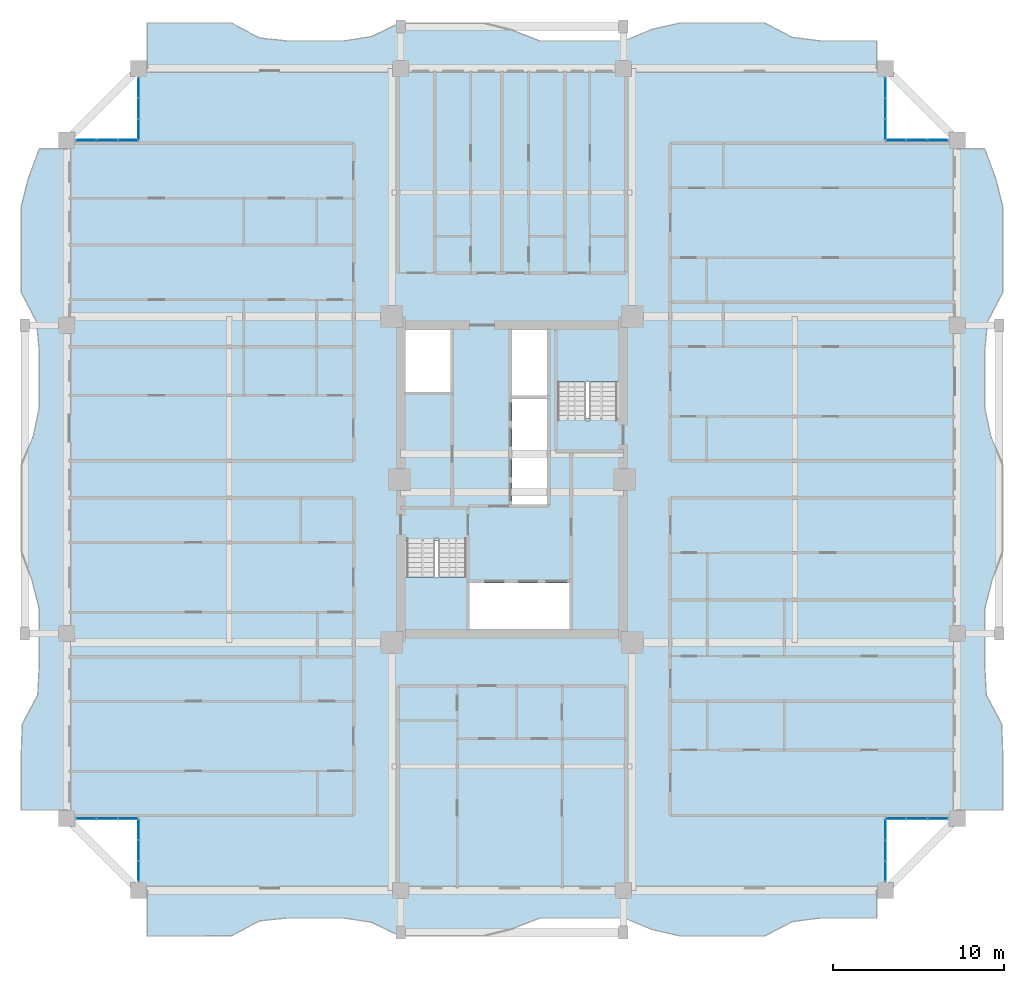
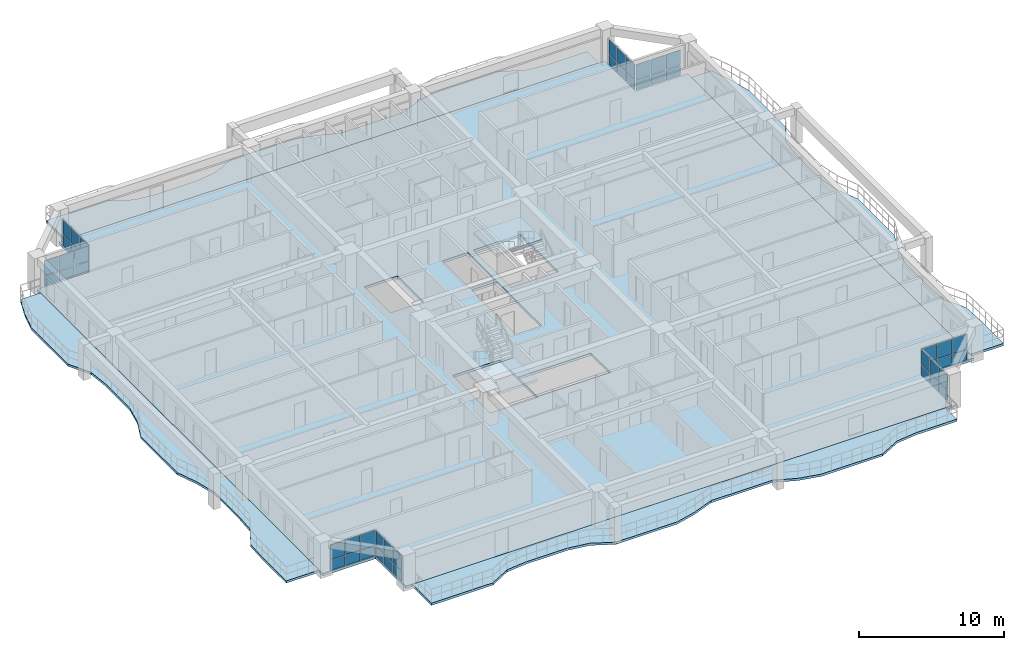
# One storey, part 13 of 26: 48 plates, 7 slabs, 10 elements without a shape of their own.
"""IFC4 building model written with IfcOpenShell, lengths in metres."""

import ifcopenshell
import ifcopenshell.guid

model = None  # the IFC model being written
_history = None  # IfcOwnerHistory: only IFC2X3 demands one
_inside = {}  # id of a spatial element -> (the spatial element, [elements in it])
_under = {}  # id of a project, library or spatial element -> (it, [spatial elements below it])
_declared = {}  # id of a project -> (the project, [libraries it declares])
_typed = {}  # id of a type object -> (the type object, [elements of that type])
_made_of = {}  # id of a material, layer set ... -> (it, [elements and type objects made of it])


def new_model(schema):
    """Start an empty IFC model of exactly this schema.

    Asked for "IFC4X3", IfcOpenShell would pick the latest addendum, in which some entities
    have other attributes; the version numbers below select the first issue.
    IFC2X3 requires an IfcOwnerHistory on every rooted entity: one is made here for all.
    """
    global model, _history
    if schema == "IFC4X3":
        model = ifcopenshell.file(schema_version=(4, 3, 0, 0))
    else:
        model = ifcopenshell.file(schema=schema)
    _inside.clear()
    _under.clear()
    _declared.clear()
    _typed.clear()
    _made_of.clear()
    _history = None
    if model.schema == "IFC2X3":
        org = make("IfcOrganization", Name="unknown")
        user = make(
            "IfcPersonAndOrganization",
            ThePerson=make("IfcPerson", FamilyName="unknown"),
            TheOrganization=org,
        )
        app = make(
            "IfcApplication",
            ApplicationDeveloper=org,
            Version="unknown",
            ApplicationFullName="unknown",
            ApplicationIdentifier="unknown",
        )
        _history = make(
            "IfcOwnerHistory",
            OwningUser=user,
            OwningApplication=app,
            ChangeAction="ADDED",
            CreationDate=0,
        )
    return model


def make(cls, **values):
    """One entity of the class cls with the attributes given. An attribute that is None is left unset."""
    return model.create_entity(
        cls, **{name: value for name, value in values.items() if value is not None}
    )


def rooted(cls, **values):
    """An entity with a GlobalId (a new one), such as an element, a storey or a relation."""
    return make(cls, GlobalId=ifcopenshell.guid.new(), OwnerHistory=_history, **values)


def si_unit(unit_type, name, prefix=None):
    """IfcSIUnit, for example si_unit("LENGTHUNIT", "METRE", prefix="MILLI")."""
    return make("IfcSIUnit", UnitType=unit_type, Prefix=prefix, Name=name)


def assignment(units):
    """IfcUnitAssignment: the units of a project."""
    return None if units is None else make("IfcUnitAssignment", Units=units)


def point(xyz):
    """IfcCartesianPoint."""
    return None if xyz is None else make("IfcCartesianPoint", Coordinates=xyz)


def direction(xyz):
    """IfcDirection."""
    return None if xyz is None else make("IfcDirection", DirectionRatios=xyz)


def frame(location, z_axis=None, x_axis=None):
    """IfcAxis2Placement3D, a coordinate frame: its origin and axes. An axis left out is left unset."""
    return make(
        "IfcAxis2Placement3D",
        Location=point(location),
        Axis=direction(z_axis),
        RefDirection=direction(x_axis),
    )


def frame_2d(location, x_axis=None):
    """IfcAxis2Placement2D, a coordinate frame in the plane: its origin and x axis."""
    return make(
        "IfcAxis2Placement2D", Location=point(location), RefDirection=direction(x_axis)
    )


def origin():
    """The frame at (0, 0, 0) with its axes left unset."""
    return frame((0.0, 0.0, 0.0))


def origin_2d():
    """The frame at (0, 0) in the plane with its x axis left unset."""
    return frame_2d((0.0, 0.0))


def place(relative_to, where):
    """IfcLocalPlacement: puts the frame where relative to a parent placement (None: the world)."""
    return make(
        "IfcLocalPlacement", PlacementRelTo=relative_to, RelativePlacement=where
    )


def context(
    kind, dimensions, precision=None, world=None, true_north=None, identifier=None
):
    """IfcGeometricRepresentationContext, for example the 3D "Model" context."""
    return make(
        "IfcGeometricRepresentationContext",
        ContextIdentifier=identifier,
        ContextType=kind,
        CoordinateSpaceDimension=dimensions,
        Precision=precision,
        WorldCoordinateSystem=world,
        TrueNorth=true_north,
    )


def subcontext(parent, identifier, kind, view, scale=None):
    """IfcGeometricRepresentationSubContext, for example "Body" below "Model"."""
    return make(
        "IfcGeometricRepresentationSubContext",
        ContextIdentifier=identifier,
        ContextType=kind,
        ParentContext=parent,
        TargetScale=scale,
        TargetView=view,
    )


def project(units=None, contexts=None):
    """IfcProject with its units and contexts."""
    return rooted(
        "IfcProject",
        Name="project",
        RepresentationContexts=contexts,
        UnitsInContext=assignment(units),
    )


def spatial(cls, under=None, at=None, **own):
    """A site, building, storey or space (cls), placed at a placement, below another one or the project."""
    s = rooted(cls, ObjectPlacement=at, **own)
    if under is not None:
        _under.setdefault(under.id(), (under, []))[1].append(s)
    return s


def polyline(points):
    """IfcPolyline through the points."""
    return make("IfcPolyline", Points=[point(p) for p in points])


def profile(cls, at=None, kind="AREA", **sizes):
    """A parametric profile (cls). Its sizes go by their IFC names, for example OverallWidth=200.0."""
    return make(cls, ProfileType=kind, Position=at, **sizes)


def rectangle(**sizes):
    """IfcRectangleProfileDef."""
    return profile("IfcRectangleProfileDef", **sizes)


def outline(outer, holes=None, kind="AREA"):
    """IfcArbitraryClosedProfileDef: a profile drawn as a closed curve; with holes, ...WithVoids."""
    if holes is None:
        return make("IfcArbitraryClosedProfileDef", ProfileType=kind, OuterCurve=outer)
    return make(
        "IfcArbitraryProfileDefWithVoids",
        ProfileType=kind,
        OuterCurve=outer,
        InnerCurves=holes,
    )


def extrude(swept, where, along, depth):
    """IfcExtrudedAreaSolid: the profile swept, set in the frame where, extruded along a direction by depth."""
    return make(
        "IfcExtrudedAreaSolid",
        SweptArea=swept,
        Position=where,
        ExtrudedDirection=direction(along),
        Depth=depth,
    )


def shape(context_of_items, identifier, shape_type, items):
    """IfcShapeRepresentation: the items that make up one representation, for example the "Body"."""
    return make(
        "IfcShapeRepresentation",
        ContextOfItems=context_of_items,
        RepresentationIdentifier=identifier,
        RepresentationType=shape_type,
        Items=items,
    )


def source(mapping_origin, context_of_items, identifier, shape_type, items):
    """IfcRepresentationMap: a shape defined once, which mapped items show again and again."""
    return make(
        "IfcRepresentationMap",
        MappingOrigin=mapping_origin,
        MappedRepresentation=shape(context_of_items, identifier, shape_type, items),
    )


def transform(
    local_origin,
    x_axis=None,
    y_axis=None,
    z_axis=None,
    scale=None,
    scale2=None,
    scale3=None,
    uniform=True,
):
    """IfcCartesianTransformationOperator3D, or its non-uniform kind. x_axis, y_axis, z_axis: its Axis1, 2, 3."""
    if uniform:
        return make(
            "IfcCartesianTransformationOperator3D",
            Axis1=direction(x_axis),
            Axis2=direction(y_axis),
            LocalOrigin=point(local_origin),
            Scale=scale,
            Axis3=direction(z_axis),
        )
    return make(
        "IfcCartesianTransformationOperator3DnonUniform",
        Axis1=direction(x_axis),
        Axis2=direction(y_axis),
        LocalOrigin=point(local_origin),
        Scale=scale,
        Axis3=direction(z_axis),
        Scale2=scale2,
        Scale3=scale3,
    )


def mapped(mapping_source, mapping_target):
    """IfcMappedItem: shows the shape of a source again, moved by a transform."""
    return make(
        "IfcMappedItem", MappingSource=mapping_source, MappingTarget=mapping_target
    )


def material(Name=None, Category=None):
    """IfcMaterial."""
    return make("IfcMaterial", Name=Name, Category=Category)


def layer(
    of_material, thickness, ventilated=None, Name=None, Category=None, Priority=None
):
    """IfcMaterialLayer: one layer of a wall or slab, of a material (None: an air gap)."""
    return make(
        "IfcMaterialLayer",
        Material=of_material,
        LayerThickness=thickness,
        IsVentilated=ventilated,
        Name=Name,
        Category=Category,
        Priority=Priority,
    )


def layer_set(layers, Name=None):
    """IfcMaterialLayerSet."""
    return make("IfcMaterialLayerSet", MaterialLayers=layers, LayerSetName=Name)


def made_of(thing, what):
    """Note that an element or type object is made of a material, layer set ...; save() writes the relation."""
    if what is not None:
        _made_of.setdefault(what.id(), (what, []))[1].append(thing)
    return thing


def type_object(cls, material=None, **own):
    """A type object (cls), such as IfcWallType, which elements share."""
    return made_of(rooted(cls, **own), material)


def element(
    cls,
    number,
    at=None,
    inside=None,
    cuts=None,
    type_object=None,
    material=None,
    context=None,
    identifier="Body",
    shape_type=None,
    held_by="IfcProductDefinitionShape",
    body=None,
    shapes=None,
    **own,
):
    """One element of the class cls, such as IfcWall. Its Tag is "e" and its number.

    at: its placement. inside: the storey or other place that contains it. cuts: it is an
    opening in that element (IfcRelVoidsElement). A single representation is given by context,
    identifier, shape_type and body (its items); several are given by shapes. held_by: the class
    of the entity that holds the representations. save() writes the other relations.
    """
    e = rooted(cls, Tag="e%d" % number, ObjectPlacement=at, **own)
    if body is not None:
        shapes = [shape(context, identifier, shape_type, body)]
    if shapes is not None:
        e.Representation = make(held_by, Representations=shapes)
    if inside is not None:
        _inside.setdefault(inside.id(), (inside, []))[1].append(e)
    if cuts is not None:
        rooted(
            "IfcRelVoidsElement", RelatingBuildingElement=cuts, RelatedOpeningElement=e
        )
    if type_object is not None:
        _typed.setdefault(type_object.id(), (type_object, []))[1].append(e)
    return made_of(e, material)


def aggregate(whole, parts):
    """IfcRelAggregates: a whole, such as a stair, and the parts it consists of."""
    return rooted("IfcRelAggregates", RelatingObject=whole, RelatedObjects=parts)


def save(model, path):
    """Write the relations noted so far, then the file.

    IfcRelAggregates (storeys below a building ...), IfcRelContainedInSpatialStructure (elements
    in a storey), IfcRelDefinesByType, IfcRelAssociatesMaterial and IfcRelDeclares: one each for
    every whole, place, type object, material and project.
    """
    for whole, parts in _under.values():
        aggregate(whole, parts)
    for where, things in _inside.values():
        rooted(
            "IfcRelContainedInSpatialStructure",
            RelatedElements=things,
            RelatingStructure=where,
        )
    for kind, things in _typed.values():
        rooted("IfcRelDefinesByType", RelatedObjects=things, RelatingType=kind)
    for what, things in _made_of.values():
        rooted("IfcRelAssociatesMaterial", RelatedObjects=things, RelatingMaterial=what)
    for by, libraries in _declared.values():
        rooted("IfcRelDeclares", RelatingContext=by, RelatedDefinitions=libraries)
    model.write(path)


model = new_model("IFC4")

# Units and contexts
model_context = context("Model", 3, precision=1e-05, world=origin(), true_north=direction((0.0, 1.0)))
body_context = subcontext(model_context, "Body", "Model", "MODEL_VIEW")
ifc_project = project(units=[si_unit("LENGTHUNIT", "METRE"), si_unit("AREAUNIT", "SQUARE_METRE"), si_unit("VOLUMEUNIT", "CUBIC_METRE"), si_unit("PLANEANGLEUNIT", "RADIAN"), si_unit("MASSUNIT", "GRAM", prefix="KILO")], contexts=[model_context])

# Site, building, storey
site_placement = place(None, origin())
site = spatial("IfcSite", under=ifc_project, at=site_placement, CompositionType="ELEMENT")
building_placement = place(site_placement, origin())
building = spatial("IfcBuilding", under=site, at=building_placement, Name="Saelheon Loggia Tower", CompositionType="ELEMENT")
storey_placement = place(building_placement, frame((0.0, 0.0, 116.85009765625)))
storey = spatial("IfcBuildingStorey", under=building, at=storey_placement, Name="L37", CompositionType="ELEMENT", Elevation=116.85009765625)

# Slabs
ifc_material_1 = material(Name="Precast Concrete C45/55", Category="concrete")
ifc_layer_1 = layer(ifc_material_1, 0.18994140625)
ifc_layer_set_1 = layer_set([ifc_layer_1], Name="Precast Concrete C45/55")
slab_type_1 = type_object("IfcSlabType", Name="Slab_Loggia_Ext_190", PredefinedType="FLOOR", material=ifc_layer_set_1)
slab_1_placement = place(storey_placement, frame((0.0, 0.0, -0.190185546875)))
element("IfcSlab", 1, at=slab_1_placement, inside=storey, type_object=slab_type_1, Name="L37 Loggia Balcony Slab S", PredefinedType="FLOOR", context=body_context, shape_type="SweptSolid", body=[
    extrude(outline(polyline([(16.699951171875, 0.35009765625), (18.33837890625, 0.35009765625), (19.976806640625, 0.35009765625), (21.615478515625, 0.353759765625), (23.25390625, 1.2275390625), (24.892333984375, 1.39990234375), (26.53076171875, 1.39990234375), (28.169189453125, 1.39990234375), (29.8076171875, 1.142578125), (31.4462890625, 0.35009765625), (33.084716796875, 0.35009765625), (34.72314453125, 0.35009765625), (36.361572265625, 0.35009765625), (38.0, 0.7685546875), (39.638427734375, 1.39990234375), (41.27685546875, 1.39990234375), (42.915283203125, 1.39990234375), (44.5537109375, 1.39990234375), (46.1923828125, 0.718505859375), (47.830810546875, 0.35009765625), (49.46923828125, 0.35009765625), (51.107666015625, 0.35009765625), (52.74609375, 0.35009765625), (54.384521484375, 1.19140625), (56.023193359375, 1.39990234375), (57.66162109375, 1.39990234375), (59.300048828125, 1.39990234375), (59.300048828125, 3.0), (16.699951171875, 3.0), (16.699951171875, 0.35009765625)])), origin(), (0.0, 0.0, 1.0), 0.190185546875),
])
slab_2_placement = place(storey_placement, frame((0.0, 0.0, -0.190185546875)))
element("IfcSlab", 2, at=slab_2_placement, inside=storey, type_object=slab_type_1, Name="L37 Loggia Balcony Slab N", PredefinedType="FLOOR", context=body_context, shape_type="SweptSolid", body=[
    extrude(outline(polyline([(16.699951171875, 51.0), (59.300048828125, 51.0), (59.300048828125, 52.60009765625), (57.66162109375, 52.60009765625), (56.023193359375, 52.60009765625), (54.384521484375, 52.80859375), (52.74609375, 53.64990234375), (51.107666015625, 53.64990234375), (49.46923828125, 53.64990234375), (47.830810546875, 53.64990234375), (46.1923828125, 53.281494140625), (44.5537109375, 52.60009765625), (42.915283203125, 52.60009765625), (41.27685546875, 52.60009765625), (39.638427734375, 52.60009765625), (38.0, 53.2314453125), (36.361572265625, 53.64990234375), (34.72314453125, 53.64990234375), (33.084716796875, 53.64990234375), (31.4462890625, 53.64990234375), (29.8076171875, 52.857421875), (28.169189453125, 52.60009765625), (26.53076171875, 52.60009765625), (24.892333984375, 52.60009765625), (23.25390625, 52.7724609375), (21.615478515625, 53.646240234375), (19.976806640625, 53.64990234375), (18.33837890625, 53.64990234375), (16.699951171875, 53.64990234375), (16.699951171875, 51.0)])), origin(), (0.0, 0.0, 1.0), 0.190185546875),
])
slab_3_placement = place(storey_placement, frame((0.0, 0.0, -0.190185546875)))
element("IfcSlab", 3, at=slab_3_placement, inside=storey, type_object=slab_type_1, Name="L37 Loggia Balcony Slab E", PredefinedType="FLOOR", context=body_context, shape_type="SweptSolid", body=[
    extrude(outline(polyline([(64.0, 7.699951171875), (66.64990234375, 7.699951171875), (66.64990234375, 9.37841796875), (66.64990234375, 11.056396484375), (66.585205078125, 12.73486328125), (65.690185546875, 14.4130859375), (65.60009765625, 16.09130859375), (65.60009765625, 17.76953125), (65.60009765625, 19.44775390625), (66.0283203125, 21.126220703125), (66.64990234375, 22.80419921875), (66.64990234375, 24.482666015625), (66.64990234375, 26.160888671875), (66.64990234375, 27.839111328125), (65.950927734375, 29.517333984375), (65.60009765625, 31.19580078125), (65.60009765625, 32.873779296875), (65.60009765625, 34.55224609375), (65.76416015625, 36.23046875), (66.64990234375, 37.90869140625), (66.64990234375, 39.5869140625), (66.64990234375, 41.26513671875), (66.64990234375, 42.943603515625), (66.2197265625, 44.62158203125), (65.60009765625, 46.300048828125), (64.0, 46.300048828125), (64.0, 7.699951171875)])), origin(), (0.0, 0.0, 1.0), 0.190185546875),
])
slab_4_placement = place(storey_placement, frame((0.0, 0.0, -0.190185546875)))
element("IfcSlab", 4, at=slab_4_placement, inside=storey, type_object=slab_type_1, Name="L37 Loggia Balcony Slab W", PredefinedType="FLOOR", context=body_context, shape_type="SweptSolid", body=[
    extrude(outline(polyline([(12.0, 7.699951171875), (12.0, 46.300048828125), (10.39990234375, 46.300048828125), (9.7802734375, 44.62158203125), (9.35009765625, 42.943603515625), (9.35009765625, 41.26513671875), (9.35009765625, 39.5869140625), (9.35009765625, 37.90869140625), (10.23583984375, 36.23046875), (10.39990234375, 34.55224609375), (10.39990234375, 32.873779296875), (10.39990234375, 31.19580078125), (10.049072265625, 29.517333984375), (9.35009765625, 27.839111328125), (9.35009765625, 26.160888671875), (9.35009765625, 24.482666015625), (9.35009765625, 22.80419921875), (9.9716796875, 21.126220703125), (10.39990234375, 19.44775390625), (10.39990234375, 17.76953125), (10.39990234375, 16.09130859375), (10.309814453125, 14.4130859375), (9.414794921875, 12.73486328125), (9.35009765625, 11.056396484375), (9.35009765625, 9.37841796875), (9.35009765625, 7.699951171875), (12.0, 7.699951171875)])), origin(), (0.0, 0.0, 1.0), 0.190185546875),
])

# Stair, slab
ifc_material_2 = material(Name="Concrete C40/50", Category="concrete")
stair_type = type_object("IfcStairType", Name="Stair_Escape_Core", PredefinedType="HALF_TURN_STAIR", material=ifc_material_2)
stair_1_placement = place(storey_placement, origin())
stair_1 = element("IfcStair", 5, at=stair_1_placement, inside=storey, type_object=stair_type, Name="L37 Special Escape Stair ST1", PredefinedType="HALF_TURN_STAIR")
ifc_layer_2 = layer(ifc_material_2, 0.199951171875)
ifc_layer_set_2 = layer_set([ifc_layer_2], Name="Concrete C40/50")
slab_type_2 = type_object("IfcSlabType", Name="Slab_StairLanding_ST1", PredefinedType="LANDING", material=ifc_layer_set_2)
slab_5_placement = place(storey_placement, frame((0.0, 0.0, 1.2998046875)))
slab_5 = element("IfcSlab", 6, at=slab_5_placement, type_object=slab_type_2, Name="ST1 landing 1", PredefinedType="LANDING", context=body_context, shape_type="SweptSolid", body=[
    extrude(outline(polyline([(31.7099609375, 21.31005859375), (31.7099609375, 18.2099609375), (35.469970703125, 18.2099609375), (35.469970703125, 21.31005859375), (31.7099609375, 21.31005859375)])), origin(), (0.0, 0.0, 1.0), 0.2001953125),
])
aggregate(stair_1, [slab_5])

stair_2_placement = place(storey_placement, origin())
stair_2 = element("IfcStair", 7, at=stair_2_placement, inside=storey, type_object=stair_type, Name="L37 Special Escape Stair ST2", PredefinedType="HALF_TURN_STAIR")
ifc_layer_3 = layer(ifc_material_2, 0.199951171875)
ifc_layer_set_3 = layer_set([ifc_layer_3], Name="Concrete C40/50")
slab_type_3 = type_object("IfcSlabType", Name="Slab_StairLanding_ST2", PredefinedType="LANDING", material=ifc_layer_set_3)
slab_6_placement = place(storey_placement, frame((0.0, 0.0, 1.2998046875)))
slab_6 = element("IfcSlab", 8, at=slab_6_placement, type_object=slab_type_3, Name="ST2 landing 1", PredefinedType="LANDING", context=body_context, shape_type="SweptSolid", body=[
    extrude(outline(polyline([(44.2900390625, 32.68994140625), (44.2900390625, 35.7900390625), (40.530029296875, 35.7900390625), (40.530029296875, 32.68994140625), (44.2900390625, 32.68994140625)])), origin(), (0.0, 0.0, 1.0), 0.2001953125),
])
aggregate(stair_2, [slab_6])

# Slab
ifc_layer_4 = layer(ifc_material_2, 0.2099609375)
ifc_layer_set_4 = layer_set([ifc_layer_4], Name="Concrete C40/50")
slab_type_4 = type_object("IfcSlabType", Name="Slab_Tower_210", PredefinedType="FLOOR", material=ifc_layer_set_4)
slab_7_placement = place(storey_placement, frame((0.0, 0.0, -0.210205078125)))
element("IfcSlab", 9, at=slab_7_placement, inside=storey, type_object=slab_type_4, Name="L37 Tower Floor Slab", PredefinedType="FLOOR", context=body_context, shape_type="SweptSolid", body=[
    extrude(outline(polyline([(16.199951171875, 3.0), (59.800048828125, 3.0), (59.800048828125, 7.199951171875), (64.0, 7.199951171875), (64.0, 46.800048828125), (59.800048828125, 46.800048828125), (59.800048828125, 51.0), (16.199951171875, 51.0), (16.199951171875, 46.800048828125), (12.0, 46.800048828125), (12.0, 7.199951171875), (16.199951171875, 7.199951171875), (16.199951171875, 3.0)]), holes=[polyline([(31.699951171875, 23.409912109375), (31.699951171875, 18.199951171875), (35.47998046875, 18.199951171875), (35.47998046875, 23.409912109375), (31.699951171875, 23.409912109375)]), polyline([(44.300048828125, 30.590087890625), (44.300048828125, 35.800048828125), (40.52001953125, 35.800048828125), (40.52001953125, 30.590087890625), (44.300048828125, 30.590087890625)]), polyline([(35.530029296875, 18.27490234375), (41.35009765625, 18.27490234375), (41.35009765625, 20.9599609375), (35.530029296875, 20.9599609375), (35.530029296875, 18.27490234375)]), polyline([(31.77490234375, 32.1201171875), (34.419921875, 32.1201171875), (34.419921875, 35.72509765625), (31.77490234375, 35.72509765625), (31.77490234375, 32.1201171875)]), polyline([(38.0, 31.89990234375), (40.050048828125, 31.89990234375), (40.050048828125, 35.72509765625), (38.0, 35.72509765625), (38.0, 31.89990234375)]), polyline([(38.0, 25.5400390625), (40.050048828125, 25.5400390625), (40.050048828125, 31.699951171875), (38.0, 31.699951171875), (38.0, 25.5400390625)])]), origin(), (0.0, 0.0, 1.0), 0.210205078125),
])

# Curtain wall, plates
ifc_material_3 = material(Name="Thermal-Break Aluminium and Triple Low-E Glass", Category="aluminium")
ifc_layer_5 = layer(ifc_material_3, 0.159912109375)
ifc_layer_set_5 = layer_set([ifc_layer_5], Name="Thermal-Break Aluminium and Triple Low-E Glass")
curtain_wall_type = type_object("IfcCurtainWallType", Name="CW_TowerLoggiaLow", PredefinedType="NOTDEFINED", material=ifc_layer_set_5)
curtain_wall_1_placement = place(storey_placement, origin())
curtain_wall_1 = element("IfcCurtainWall", 10, at=curtain_wall_1_placement, inside=storey, type_object=curtain_wall_type, Name="L37 Corner Notch Glazing SW1", PredefinedType="NOTDEFINED")
ifc_material_4 = material(Name="Triple Low-E Laminated Glazing", Category="glass")
ifc_layer_6 = layer(ifc_material_4, 0.0419921875)
ifc_layer_set_6 = layer_set([ifc_layer_6], Name="Triple Low-E Laminated Glazing")
plate_type = type_object("IfcPlateType", Name="CW_TowerLoggiaLow_Panel", PredefinedType="CURTAIN_PANEL", material=ifc_layer_set_6)
shared_shape_1 = source(origin(), body_context, "Body", "SweptSolid", [
    extrude(rectangle(XDim=1.130859375, YDim=0.0419921875, at=origin_2d()), origin(), (0.0, 0.0, 1.0), 0.8525390625),
])
plate_1_placement = place(storey_placement, frame((16.199951171875, 4.1455078125, 0.06494140625), z_axis=(0.0, 0.0, 1.0), x_axis=(0.0, 1.0, 0.0)))
plate_1 = element("IfcPlate", 11, at=plate_1_placement, type_object=plate_type, Name="CW3 panel 1.1", PredefinedType="CURTAIN_PANEL", context=body_context, shape_type="MappedRepresentation", body=[
    mapped(shared_shape_1, transform((0.0, 0.0, 0.0), scale=1.0)),
])
plate_2_placement = place(storey_placement, frame((16.199951171875, 6.569580078125, 0.06494140625), z_axis=(0.0, 0.0, 1.0), x_axis=(0.0, 1.0, 0.0)))
plate_2 = element("IfcPlate", 12, at=plate_2_placement, type_object=plate_type, Name="CW3 panel 3.1", PredefinedType="CURTAIN_PANEL", context=body_context, shape_type="MappedRepresentation", body=[
    mapped(shared_shape_1, transform((0.0, 0.0, 0.0), scale=1.0)),
])

curtain_wall_2_placement = place(storey_placement, origin())
curtain_wall_2 = element("IfcCurtainWall", 13, at=curtain_wall_2_placement, inside=storey, type_object=curtain_wall_type, Name="L37 Corner Notch Glazing SW2", PredefinedType="NOTDEFINED")
plate_3_placement = place(storey_placement, frame((13.1455078125, 7.199951171875, 0.06494140625), z_axis=(0.0, 0.0, 1.0), x_axis=(1.0, 0.0, 0.0)))
plate_3 = element("IfcPlate", 14, at=plate_3_placement, type_object=plate_type, Name="CW3 panel 1.1", PredefinedType="CURTAIN_PANEL", context=body_context, shape_type="MappedRepresentation", body=[
    mapped(shared_shape_1, transform((0.0, 0.0, 0.0), scale=1.0)),
])
plate_4_placement = place(storey_placement, frame((15.569580078125, 7.199951171875, 0.06494140625), z_axis=(0.0, 0.0, 1.0), x_axis=(1.0, 0.0, 0.0)))
plate_4 = element("IfcPlate", 15, at=plate_4_placement, type_object=plate_type, Name="CW3 panel 3.1", PredefinedType="CURTAIN_PANEL", context=body_context, shape_type="MappedRepresentation", body=[
    mapped(shared_shape_1, transform((0.0, 0.0, 0.0), scale=1.0)),
])

curtain_wall_3_placement = place(storey_placement, origin())
curtain_wall_3 = element("IfcCurtainWall", 16, at=curtain_wall_3_placement, inside=storey, type_object=curtain_wall_type, Name="L37 Corner Notch Glazing SE1", PredefinedType="NOTDEFINED")
plate_5_placement = place(storey_placement, frame((59.800048828125, 4.1455078125, 0.06494140625), z_axis=(0.0, 0.0, 1.0), x_axis=(0.0, 1.0, 0.0)))
plate_5 = element("IfcPlate", 17, at=plate_5_placement, type_object=plate_type, Name="CW3 panel 1.1", PredefinedType="CURTAIN_PANEL", context=body_context, shape_type="MappedRepresentation", body=[
    mapped(shared_shape_1, transform((0.0, 0.0, 0.0), scale=1.0)),
])
plate_6_placement = place(storey_placement, frame((59.800048828125, 6.569580078125, 0.06494140625), z_axis=(0.0, 0.0, 1.0), x_axis=(0.0, 1.0, 0.0)))
plate_6 = element("IfcPlate", 18, at=plate_6_placement, type_object=plate_type, Name="CW3 panel 3.1", PredefinedType="CURTAIN_PANEL", context=body_context, shape_type="MappedRepresentation", body=[
    mapped(shared_shape_1, transform((0.0, 0.0, 0.0), scale=1.0)),
])

curtain_wall_4_placement = place(storey_placement, origin())
curtain_wall_4 = element("IfcCurtainWall", 19, at=curtain_wall_4_placement, inside=storey, type_object=curtain_wall_type, Name="L37 Corner Notch Glazing SE2", PredefinedType="NOTDEFINED")
plate_7_placement = place(storey_placement, frame((60.430419921875, 7.199951171875, 0.06494140625), z_axis=(0.0, 0.0, 1.0), x_axis=(1.0, 0.0, 0.0)))
plate_7 = element("IfcPlate", 20, at=plate_7_placement, type_object=plate_type, Name="CW3 panel 1.1", PredefinedType="CURTAIN_PANEL", context=body_context, shape_type="MappedRepresentation", body=[
    mapped(shared_shape_1, transform((0.0, 0.0, 0.0), scale=1.0)),
])
plate_8_placement = place(storey_placement, frame((62.8544921875, 7.199951171875, 0.06494140625), z_axis=(0.0, 0.0, 1.0), x_axis=(1.0, 0.0, 0.0)))
plate_8 = element("IfcPlate", 21, at=plate_8_placement, type_object=plate_type, Name="CW3 panel 3.1", PredefinedType="CURTAIN_PANEL", context=body_context, shape_type="MappedRepresentation", body=[
    mapped(shared_shape_1, transform((0.0, 0.0, 0.0), scale=1.0)),
])

curtain_wall_5_placement = place(storey_placement, origin())
curtain_wall_5 = element("IfcCurtainWall", 22, at=curtain_wall_5_placement, inside=storey, type_object=curtain_wall_type, Name="L37 Corner Notch Glazing NW1", PredefinedType="NOTDEFINED")
plate_9_placement = place(storey_placement, frame((16.199951171875, 47.430419921875, 0.06494140625), z_axis=(0.0, 0.0, 1.0), x_axis=(0.0, 1.0, 0.0)))
plate_9 = element("IfcPlate", 23, at=plate_9_placement, type_object=plate_type, Name="CW3 panel 1.1", PredefinedType="CURTAIN_PANEL", context=body_context, shape_type="MappedRepresentation", body=[
    mapped(shared_shape_1, transform((0.0, 0.0, 0.0), scale=1.0)),
])
plate_10_placement = place(storey_placement, frame((16.199951171875, 49.8544921875, 0.06494140625), z_axis=(0.0, 0.0, 1.0), x_axis=(0.0, 1.0, 0.0)))
plate_10 = element("IfcPlate", 24, at=plate_10_placement, type_object=plate_type, Name="CW3 panel 3.1", PredefinedType="CURTAIN_PANEL", context=body_context, shape_type="MappedRepresentation", body=[
    mapped(shared_shape_1, transform((0.0, 0.0, 0.0), scale=1.0)),
])

curtain_wall_6_placement = place(storey_placement, origin())
curtain_wall_6 = element("IfcCurtainWall", 25, at=curtain_wall_6_placement, inside=storey, type_object=curtain_wall_type, Name="L37 Corner Notch Glazing NW2", PredefinedType="NOTDEFINED")
plate_11_placement = place(storey_placement, frame((13.1455078125, 46.800048828125, 0.06494140625), z_axis=(0.0, 0.0, 1.0), x_axis=(1.0, 0.0, 0.0)))
plate_11 = element("IfcPlate", 26, at=plate_11_placement, type_object=plate_type, Name="CW3 panel 1.1", PredefinedType="CURTAIN_PANEL", context=body_context, shape_type="MappedRepresentation", body=[
    mapped(shared_shape_1, transform((0.0, 0.0, 0.0), scale=1.0)),
])
plate_12_placement = place(storey_placement, frame((15.569580078125, 46.800048828125, 0.06494140625), z_axis=(0.0, 0.0, 1.0), x_axis=(1.0, 0.0, 0.0)))
plate_12 = element("IfcPlate", 27, at=plate_12_placement, type_object=plate_type, Name="CW3 panel 3.1", PredefinedType="CURTAIN_PANEL", context=body_context, shape_type="MappedRepresentation", body=[
    mapped(shared_shape_1, transform((0.0, 0.0, 0.0), scale=1.0)),
])

curtain_wall_7_placement = place(storey_placement, origin())
curtain_wall_7 = element("IfcCurtainWall", 28, at=curtain_wall_7_placement, inside=storey, type_object=curtain_wall_type, Name="L37 Corner Notch Glazing NE1", PredefinedType="NOTDEFINED")
plate_13_placement = place(storey_placement, frame((59.800048828125, 47.430419921875, 0.06494140625), z_axis=(0.0, 0.0, 1.0), x_axis=(0.0, 1.0, 0.0)))
plate_13 = element("IfcPlate", 29, at=plate_13_placement, type_object=plate_type, Name="CW3 panel 1.1", PredefinedType="CURTAIN_PANEL", context=body_context, shape_type="MappedRepresentation", body=[
    mapped(shared_shape_1, transform((0.0, 0.0, 0.0), scale=1.0)),
])
plate_14_placement = place(storey_placement, frame((59.800048828125, 49.8544921875, 0.06494140625), z_axis=(0.0, 0.0, 1.0), x_axis=(0.0, 1.0, 0.0)))
plate_14 = element("IfcPlate", 30, at=plate_14_placement, type_object=plate_type, Name="CW3 panel 3.1", PredefinedType="CURTAIN_PANEL", context=body_context, shape_type="MappedRepresentation", body=[
    mapped(shared_shape_1, transform((0.0, 0.0, 0.0), scale=1.0)),
])

curtain_wall_8_placement = place(storey_placement, origin())
curtain_wall_8 = element("IfcCurtainWall", 31, at=curtain_wall_8_placement, inside=storey, type_object=curtain_wall_type, Name="L37 Corner Notch Glazing NE2", PredefinedType="NOTDEFINED")
plate_15_placement = place(storey_placement, frame((60.430419921875, 46.800048828125, 0.06494140625), z_axis=(0.0, 0.0, 1.0), x_axis=(1.0, 0.0, 0.0)))
plate_15 = element("IfcPlate", 32, at=plate_15_placement, type_object=plate_type, Name="CW3 panel 1.1", PredefinedType="CURTAIN_PANEL", context=body_context, shape_type="MappedRepresentation", body=[
    mapped(shared_shape_1, transform((0.0, 0.0, 0.0), scale=1.0)),
])
plate_16_placement = place(storey_placement, frame((62.8544921875, 46.800048828125, 0.06494140625), z_axis=(0.0, 0.0, 1.0), x_axis=(1.0, 0.0, 0.0)))
plate_16 = element("IfcPlate", 33, at=plate_16_placement, type_object=plate_type, Name="CW3 panel 3.1", PredefinedType="CURTAIN_PANEL", context=body_context, shape_type="MappedRepresentation", body=[
    mapped(shared_shape_1, transform((0.0, 0.0, 0.0), scale=1.0)),
])

# Plate
shared_shape_2 = source(origin(), body_context, "Body", "SweptSolid", [
    extrude(rectangle(XDim=1.130859375, YDim=0.0419921875, at=origin_2d()), origin(), (0.0, 0.0, 1.0), 1.232421875),
])
plate_17_placement = place(storey_placement, frame((16.199951171875, 4.1455078125, 0.982421875), z_axis=(0.0, 0.0, 1.0), x_axis=(0.0, 1.0, 0.0)))
plate_17 = element("IfcPlate", 34, at=plate_17_placement, type_object=plate_type, Name="CW3 panel 1.2", PredefinedType="CURTAIN_PANEL", context=body_context, shape_type="MappedRepresentation", body=[
    mapped(shared_shape_2, transform((0.0, 0.0, 0.0), scale=1.0)),
])

plate_18_placement = place(storey_placement, frame((16.199951171875, 6.569580078125, 0.982421875), z_axis=(0.0, 0.0, 1.0), x_axis=(0.0, 1.0, 0.0)))
plate_18 = element("IfcPlate", 35, at=plate_18_placement, type_object=plate_type, Name="CW3 panel 3.2", PredefinedType="CURTAIN_PANEL", context=body_context, shape_type="MappedRepresentation", body=[
    mapped(shared_shape_2, transform((0.0, 0.0, 0.0), scale=1.0)),
])

plate_19_placement = place(storey_placement, frame((13.1455078125, 7.199951171875, 0.982421875), z_axis=(0.0, 0.0, 1.0), x_axis=(1.0, 0.0, 0.0)))
plate_19 = element("IfcPlate", 36, at=plate_19_placement, type_object=plate_type, Name="CW3 panel 1.2", PredefinedType="CURTAIN_PANEL", context=body_context, shape_type="MappedRepresentation", body=[
    mapped(shared_shape_2, transform((0.0, 0.0, 0.0), scale=1.0)),
])

plate_20_placement = place(storey_placement, frame((15.569580078125, 7.199951171875, 0.982421875), z_axis=(0.0, 0.0, 1.0), x_axis=(1.0, 0.0, 0.0)))
plate_20 = element("IfcPlate", 37, at=plate_20_placement, type_object=plate_type, Name="CW3 panel 3.2", PredefinedType="CURTAIN_PANEL", context=body_context, shape_type="MappedRepresentation", body=[
    mapped(shared_shape_2, transform((0.0, 0.0, 0.0), scale=1.0)),
])

plate_21_placement = place(storey_placement, frame((59.800048828125, 4.1455078125, 0.982421875), z_axis=(0.0, 0.0, 1.0), x_axis=(0.0, 1.0, 0.0)))
plate_21 = element("IfcPlate", 38, at=plate_21_placement, type_object=plate_type, Name="CW3 panel 1.2", PredefinedType="CURTAIN_PANEL", context=body_context, shape_type="MappedRepresentation", body=[
    mapped(shared_shape_2, transform((0.0, 0.0, 0.0), scale=1.0)),
])

plate_22_placement = place(storey_placement, frame((59.800048828125, 6.569580078125, 0.982421875), z_axis=(0.0, 0.0, 1.0), x_axis=(0.0, 1.0, 0.0)))
plate_22 = element("IfcPlate", 39, at=plate_22_placement, type_object=plate_type, Name="CW3 panel 3.2", PredefinedType="CURTAIN_PANEL", context=body_context, shape_type="MappedRepresentation", body=[
    mapped(shared_shape_2, transform((0.0, 0.0, 0.0), scale=1.0)),
])

plate_23_placement = place(storey_placement, frame((60.430419921875, 7.199951171875, 0.982421875), z_axis=(0.0, 0.0, 1.0), x_axis=(1.0, 0.0, 0.0)))
plate_23 = element("IfcPlate", 40, at=plate_23_placement, type_object=plate_type, Name="CW3 panel 1.2", PredefinedType="CURTAIN_PANEL", context=body_context, shape_type="MappedRepresentation", body=[
    mapped(shared_shape_2, transform((0.0, 0.0, 0.0), scale=1.0)),
])

plate_24_placement = place(storey_placement, frame((62.8544921875, 7.199951171875, 0.982421875), z_axis=(0.0, 0.0, 1.0), x_axis=(1.0, 0.0, 0.0)))
plate_24 = element("IfcPlate", 41, at=plate_24_placement, type_object=plate_type, Name="CW3 panel 3.2", PredefinedType="CURTAIN_PANEL", context=body_context, shape_type="MappedRepresentation", body=[
    mapped(shared_shape_2, transform((0.0, 0.0, 0.0), scale=1.0)),
])

plate_25_placement = place(storey_placement, frame((16.199951171875, 47.430419921875, 0.982421875), z_axis=(0.0, 0.0, 1.0), x_axis=(0.0, 1.0, 0.0)))
plate_25 = element("IfcPlate", 42, at=plate_25_placement, type_object=plate_type, Name="CW3 panel 1.2", PredefinedType="CURTAIN_PANEL", context=body_context, shape_type="MappedRepresentation", body=[
    mapped(shared_shape_2, transform((0.0, 0.0, 0.0), scale=1.0)),
])

plate_26_placement = place(storey_placement, frame((16.199951171875, 49.8544921875, 0.982421875), z_axis=(0.0, 0.0, 1.0), x_axis=(0.0, 1.0, 0.0)))
plate_26 = element("IfcPlate", 43, at=plate_26_placement, type_object=plate_type, Name="CW3 panel 3.2", PredefinedType="CURTAIN_PANEL", context=body_context, shape_type="MappedRepresentation", body=[
    mapped(shared_shape_2, transform((0.0, 0.0, 0.0), scale=1.0)),
])

plate_27_placement = place(storey_placement, frame((13.1455078125, 46.800048828125, 0.982421875), z_axis=(0.0, 0.0, 1.0), x_axis=(1.0, 0.0, 0.0)))
plate_27 = element("IfcPlate", 44, at=plate_27_placement, type_object=plate_type, Name="CW3 panel 1.2", PredefinedType="CURTAIN_PANEL", context=body_context, shape_type="MappedRepresentation", body=[
    mapped(shared_shape_2, transform((0.0, 0.0, 0.0), scale=1.0)),
])

plate_28_placement = place(storey_placement, frame((15.569580078125, 46.800048828125, 0.982421875), z_axis=(0.0, 0.0, 1.0), x_axis=(1.0, 0.0, 0.0)))
plate_28 = element("IfcPlate", 45, at=plate_28_placement, type_object=plate_type, Name="CW3 panel 3.2", PredefinedType="CURTAIN_PANEL", context=body_context, shape_type="MappedRepresentation", body=[
    mapped(shared_shape_2, transform((0.0, 0.0, 0.0), scale=1.0)),
])

plate_29_placement = place(storey_placement, frame((59.800048828125, 47.430419921875, 0.982421875), z_axis=(0.0, 0.0, 1.0), x_axis=(0.0, 1.0, 0.0)))
plate_29 = element("IfcPlate", 46, at=plate_29_placement, type_object=plate_type, Name="CW3 panel 1.2", PredefinedType="CURTAIN_PANEL", context=body_context, shape_type="MappedRepresentation", body=[
    mapped(shared_shape_2, transform((0.0, 0.0, 0.0), scale=1.0)),
])

plate_30_placement = place(storey_placement, frame((59.800048828125, 49.8544921875, 0.982421875), z_axis=(0.0, 0.0, 1.0), x_axis=(0.0, 1.0, 0.0)))
plate_30 = element("IfcPlate", 47, at=plate_30_placement, type_object=plate_type, Name="CW3 panel 3.2", PredefinedType="CURTAIN_PANEL", context=body_context, shape_type="MappedRepresentation", body=[
    mapped(shared_shape_2, transform((0.0, 0.0, 0.0), scale=1.0)),
])

plate_31_placement = place(storey_placement, frame((60.430419921875, 46.800048828125, 0.982421875), z_axis=(0.0, 0.0, 1.0), x_axis=(1.0, 0.0, 0.0)))
plate_31 = element("IfcPlate", 48, at=plate_31_placement, type_object=plate_type, Name="CW3 panel 1.2", PredefinedType="CURTAIN_PANEL", context=body_context, shape_type="MappedRepresentation", body=[
    mapped(shared_shape_2, transform((0.0, 0.0, 0.0), scale=1.0)),
])

plate_32_placement = place(storey_placement, frame((62.8544921875, 46.800048828125, 0.982421875), z_axis=(0.0, 0.0, 1.0), x_axis=(1.0, 0.0, 0.0)))
plate_32 = element("IfcPlate", 49, at=plate_32_placement, type_object=plate_type, Name="CW3 panel 3.2", PredefinedType="CURTAIN_PANEL", context=body_context, shape_type="MappedRepresentation", body=[
    mapped(shared_shape_2, transform((0.0, 0.0, 0.0), scale=1.0)),
])

shared_shape_3 = source(origin(), body_context, "Body", "SweptSolid", [
    extrude(rectangle(XDim=1.163330078125, YDim=0.0419921875, at=origin_2d()), origin(), (0.0, 0.0, 1.0), 0.8525390625),
])
plate_33_placement = place(storey_placement, frame((16.199951171875, 5.357421875, 0.06494140625), z_axis=(0.0, 0.0, 1.0), x_axis=(0.0, 1.0, 0.0)))
plate_33 = element("IfcPlate", 50, at=plate_33_placement, type_object=plate_type, Name="CW3 panel 2.1", PredefinedType="CURTAIN_PANEL", context=body_context, shape_type="MappedRepresentation", body=[
    mapped(shared_shape_3, transform((0.0, 0.0, 0.0), scale=1.0)),
])

plate_34_placement = place(storey_placement, frame((14.357421875, 7.199951171875, 0.06494140625), z_axis=(0.0, 0.0, 1.0), x_axis=(1.0, 0.0, 0.0)))
plate_34 = element("IfcPlate", 51, at=plate_34_placement, type_object=plate_type, Name="CW3 panel 2.1", PredefinedType="CURTAIN_PANEL", context=body_context, shape_type="MappedRepresentation", body=[
    mapped(shared_shape_3, transform((0.0, 0.0, 0.0), scale=1.0)),
])

plate_35_placement = place(storey_placement, frame((59.800048828125, 5.357421875, 0.06494140625), z_axis=(0.0, 0.0, 1.0), x_axis=(0.0, 1.0, 0.0)))
plate_35 = element("IfcPlate", 52, at=plate_35_placement, type_object=plate_type, Name="CW3 panel 2.1", PredefinedType="CURTAIN_PANEL", context=body_context, shape_type="MappedRepresentation", body=[
    mapped(shared_shape_3, transform((0.0, 0.0, 0.0), scale=1.0)),
])

plate_36_placement = place(storey_placement, frame((61.642578125, 7.199951171875, 0.06494140625), z_axis=(0.0, 0.0, 1.0), x_axis=(1.0, 0.0, 0.0)))
plate_36 = element("IfcPlate", 53, at=plate_36_placement, type_object=plate_type, Name="CW3 panel 2.1", PredefinedType="CURTAIN_PANEL", context=body_context, shape_type="MappedRepresentation", body=[
    mapped(shared_shape_3, transform((0.0, 0.0, 0.0), scale=1.0)),
])

plate_37_placement = place(storey_placement, frame((16.199951171875, 48.642578125, 0.06494140625), z_axis=(0.0, 0.0, 1.0), x_axis=(0.0, 1.0, 0.0)))
plate_37 = element("IfcPlate", 54, at=plate_37_placement, type_object=plate_type, Name="CW3 panel 2.1", PredefinedType="CURTAIN_PANEL", context=body_context, shape_type="MappedRepresentation", body=[
    mapped(shared_shape_3, transform((0.0, 0.0, 0.0), scale=1.0)),
])

plate_38_placement = place(storey_placement, frame((14.357421875, 46.800048828125, 0.06494140625), z_axis=(0.0, 0.0, 1.0), x_axis=(1.0, 0.0, 0.0)))
plate_38 = element("IfcPlate", 55, at=plate_38_placement, type_object=plate_type, Name="CW3 panel 2.1", PredefinedType="CURTAIN_PANEL", context=body_context, shape_type="MappedRepresentation", body=[
    mapped(shared_shape_3, transform((0.0, 0.0, 0.0), scale=1.0)),
])

plate_39_placement = place(storey_placement, frame((59.800048828125, 48.642578125, 0.06494140625), z_axis=(0.0, 0.0, 1.0), x_axis=(0.0, 1.0, 0.0)))
plate_39 = element("IfcPlate", 56, at=plate_39_placement, type_object=plate_type, Name="CW3 panel 2.1", PredefinedType="CURTAIN_PANEL", context=body_context, shape_type="MappedRepresentation", body=[
    mapped(shared_shape_3, transform((0.0, 0.0, 0.0), scale=1.0)),
])

plate_40_placement = place(storey_placement, frame((61.642578125, 46.800048828125, 0.06494140625), z_axis=(0.0, 0.0, 1.0), x_axis=(1.0, 0.0, 0.0)))
plate_40 = element("IfcPlate", 57, at=plate_40_placement, type_object=plate_type, Name="CW3 panel 2.1", PredefinedType="CURTAIN_PANEL", context=body_context, shape_type="MappedRepresentation", body=[
    mapped(shared_shape_3, transform((0.0, 0.0, 0.0), scale=1.0)),
])

shared_shape_4 = source(origin(), body_context, "Body", "SweptSolid", [
    extrude(rectangle(XDim=1.163330078125, YDim=0.0419921875, at=origin_2d()), origin(), (0.0, 0.0, 1.0), 1.232421875),
])
plate_41_placement = place(storey_placement, frame((16.199951171875, 5.357421875, 0.982421875), z_axis=(0.0, 0.0, 1.0), x_axis=(0.0, 1.0, 0.0)))
plate_41 = element("IfcPlate", 58, at=plate_41_placement, type_object=plate_type, Name="CW3 panel 2.2", PredefinedType="CURTAIN_PANEL", context=body_context, shape_type="MappedRepresentation", body=[
    mapped(shared_shape_4, transform((0.0, 0.0, 0.0), scale=1.0)),
])

aggregate(curtain_wall_1, [plate_1, plate_17, plate_33, plate_41, plate_2, plate_18])

plate_42_placement = place(storey_placement, frame((14.357421875, 7.199951171875, 0.982421875), z_axis=(0.0, 0.0, 1.0), x_axis=(1.0, 0.0, 0.0)))
plate_42 = element("IfcPlate", 59, at=plate_42_placement, type_object=plate_type, Name="CW3 panel 2.2", PredefinedType="CURTAIN_PANEL", context=body_context, shape_type="MappedRepresentation", body=[
    mapped(shared_shape_4, transform((0.0, 0.0, 0.0), scale=1.0)),
])

aggregate(curtain_wall_2, [plate_3, plate_19, plate_34, plate_42, plate_4, plate_20])

plate_43_placement = place(storey_placement, frame((59.800048828125, 5.357421875, 0.982421875), z_axis=(0.0, 0.0, 1.0), x_axis=(0.0, 1.0, 0.0)))
plate_43 = element("IfcPlate", 60, at=plate_43_placement, type_object=plate_type, Name="CW3 panel 2.2", PredefinedType="CURTAIN_PANEL", context=body_context, shape_type="MappedRepresentation", body=[
    mapped(shared_shape_4, transform((0.0, 0.0, 0.0), scale=1.0)),
])

aggregate(curtain_wall_3, [plate_5, plate_21, plate_35, plate_43, plate_6, plate_22])

plate_44_placement = place(storey_placement, frame((61.642578125, 7.199951171875, 0.982421875), z_axis=(0.0, 0.0, 1.0), x_axis=(1.0, 0.0, 0.0)))
plate_44 = element("IfcPlate", 61, at=plate_44_placement, type_object=plate_type, Name="CW3 panel 2.2", PredefinedType="CURTAIN_PANEL", context=body_context, shape_type="MappedRepresentation", body=[
    mapped(shared_shape_4, transform((0.0, 0.0, 0.0), scale=1.0)),
])

aggregate(curtain_wall_4, [plate_7, plate_23, plate_36, plate_44, plate_8, plate_24])

plate_45_placement = place(storey_placement, frame((16.199951171875, 48.642578125, 0.982421875), z_axis=(0.0, 0.0, 1.0), x_axis=(0.0, 1.0, 0.0)))
plate_45 = element("IfcPlate", 62, at=plate_45_placement, type_object=plate_type, Name="CW3 panel 2.2", PredefinedType="CURTAIN_PANEL", context=body_context, shape_type="MappedRepresentation", body=[
    mapped(shared_shape_4, transform((0.0, 0.0, 0.0), scale=1.0)),
])

aggregate(curtain_wall_5, [plate_9, plate_25, plate_37, plate_45, plate_10, plate_26])

plate_46_placement = place(storey_placement, frame((14.357421875, 46.800048828125, 0.982421875), z_axis=(0.0, 0.0, 1.0), x_axis=(1.0, 0.0, 0.0)))
plate_46 = element("IfcPlate", 63, at=plate_46_placement, type_object=plate_type, Name="CW3 panel 2.2", PredefinedType="CURTAIN_PANEL", context=body_context, shape_type="MappedRepresentation", body=[
    mapped(shared_shape_4, transform((0.0, 0.0, 0.0), scale=1.0)),
])

aggregate(curtain_wall_6, [plate_11, plate_27, plate_38, plate_46, plate_12, plate_28])

plate_47_placement = place(storey_placement, frame((59.800048828125, 48.642578125, 0.982421875), z_axis=(0.0, 0.0, 1.0), x_axis=(0.0, 1.0, 0.0)))
plate_47 = element("IfcPlate", 64, at=plate_47_placement, type_object=plate_type, Name="CW3 panel 2.2", PredefinedType="CURTAIN_PANEL", context=body_context, shape_type="MappedRepresentation", body=[
    mapped(shared_shape_4, transform((0.0, 0.0, 0.0), scale=1.0)),
])

aggregate(curtain_wall_7, [plate_13, plate_29, plate_39, plate_47, plate_14, plate_30])

plate_48_placement = place(storey_placement, frame((61.642578125, 46.800048828125, 0.982421875), z_axis=(0.0, 0.0, 1.0), x_axis=(1.0, 0.0, 0.0)))
plate_48 = element("IfcPlate", 65, at=plate_48_placement, type_object=plate_type, Name="CW3 panel 2.2", PredefinedType="CURTAIN_PANEL", context=body_context, shape_type="MappedRepresentation", body=[
    mapped(shared_shape_4, transform((0.0, 0.0, 0.0), scale=1.0)),
])

aggregate(curtain_wall_8, [plate_15, plate_31, plate_40, plate_48, plate_16, plate_32])

save(model, "model.ifc")
